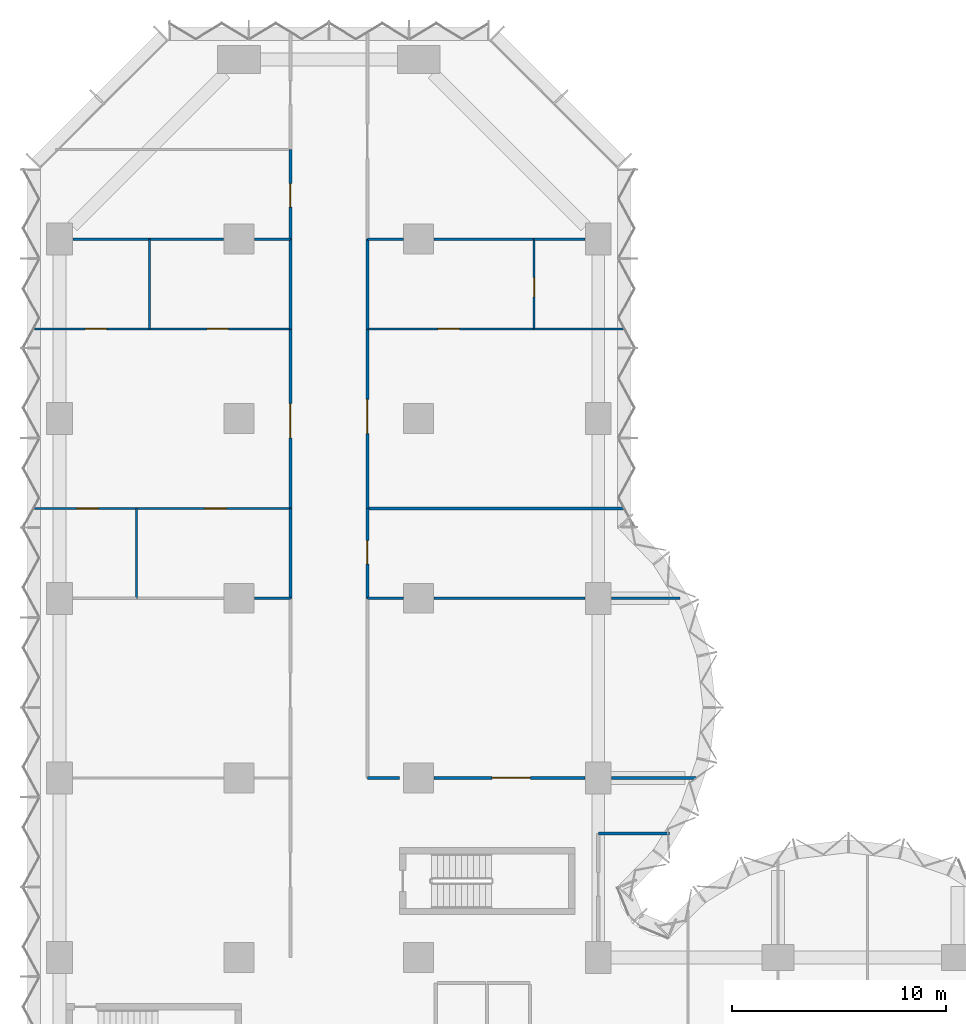
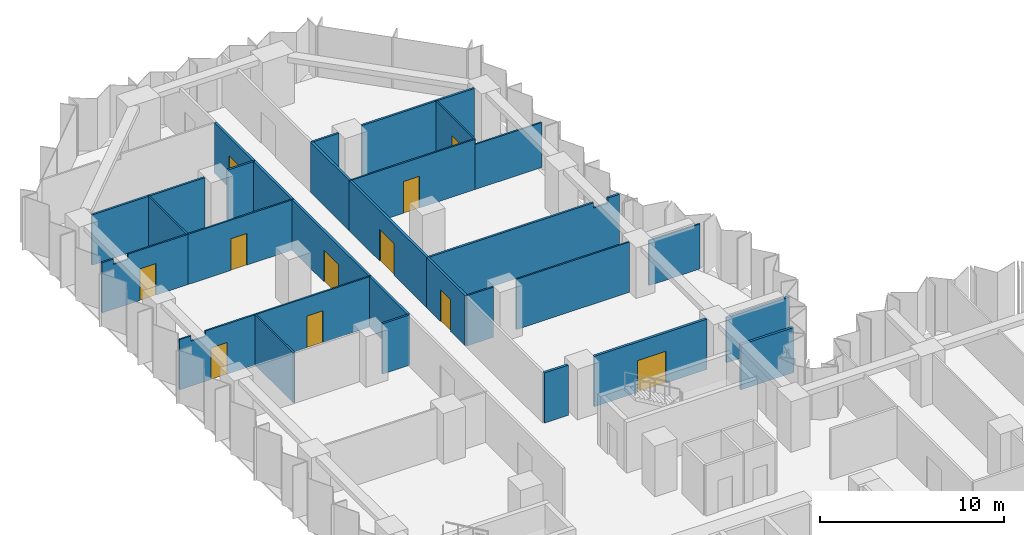
# One storey, part 11 of 15: 31 walls, 11 doors, 11 openings.
"""IFC4 building model written with IfcOpenShell, lengths in metres."""

from ifc_helpers import new_model, si_unit, direction, frame, frame_2d, origin, place, context, subcontext, project, spatial, polyline, rectangle, outline, extrude, material, layer, layer_set, type_object, element, fill, save


model = new_model("IFC4")

# Units and contexts
model_context = context("Model", 3, precision=1e-05, world=origin(), true_north=direction((0.0, 1.0)))
body_context = subcontext(model_context, "Body", "Model", "MODEL_VIEW")
ifc_project = project(units=[si_unit("LENGTHUNIT", "METRE"), si_unit("AREAUNIT", "SQUARE_METRE"), si_unit("VOLUMEUNIT", "CUBIC_METRE"), si_unit("PLANEANGLEUNIT", "RADIAN"), si_unit("MASSUNIT", "GRAM", prefix="KILO")], contexts=[model_context])

# Site, building, storey
site_placement = place(None, origin())
site = spatial("IfcSite", under=ifc_project, at=site_placement, CompositionType="ELEMENT")
building_placement = place(site_placement, origin())
building = spatial("IfcBuilding", under=site, at=building_placement, Name="Brevane Broadcast Tower", CompositionType="ELEMENT")
storey_placement = place(building_placement, frame((0.0, 0.0, 58.10009765625)))
storey = spatial("IfcBuildingStorey", under=building, at=storey_placement, Name="L12", CompositionType="ELEMENT", Elevation=58.10009765625)

# Wall, opening, door
ifc_material_1 = material(Name="Gypsum board partition")
ifc_layer_1 = layer(ifc_material_1, 0.10009765625)
ifc_layer_set_1 = layer_set([ifc_layer_1], Name="PARTITION 100 STUD")
wall_type_1 = type_object("IfcWallType", Name="PARTITION 100 STUD", PredefinedType="PARTITIONING", material=ifc_layer_set_1)
wall_1_placement = place(storey_placement, frame((-1.174072265625, 54.60009765625, 0.0), z_axis=(0.0, 0.0, 1.0), x_axis=(1.0, 0.0, 0.0)))
wall_1 = element("IfcWall", 1, at=wall_1_placement, inside=storey, type_object=wall_type_1, Name="Partition G03-056", PredefinedType="PARTITIONING", context=body_context, shape_type="SweptSolid", body=[
    extrude(outline(polyline([(0.0, 0.0), (5.3740234375, 0.0), (5.3740234375, 3.329833984375), (1.6240234375, 3.329833984375), (1.6220703125, 2.97998046875), (0.72607421875, 2.97998046875), (0.72412109375, 3.329833984375), (0.073974609375, 3.329833984375), (0.0, 3.329833984375), (0.0, 0.0)])), frame((0.0, 0.050048828125, 0.0), z_axis=(0.0, -1.0, 0.0), x_axis=(1.0, 0.0, 0.0)), (0.0, 0.0, 1.0), 0.10009765625),
])
opening_1_placement = place(wall_1_placement, frame((2.3740234375, 0.0, 0.0)))
opening_1 = element("IfcOpeningElement", 2, at=opening_1_placement, cuts=wall_1, Name="Opening D09-017", PredefinedType="OPENING", context=body_context, shape_type="SweptSolid", body=[
    extrude(rectangle(XDim=1.0, YDim=2.10009765625, at=frame_2d((0.5, 1.050048828125))), frame((0.0, 0.06005859375, 0.0), z_axis=(0.0, -1.0, 0.0), x_axis=(1.0, 0.0, 0.0)), (0.0, 0.0, 1.0), 0.1201171875),
])
ifc_material_2 = material(Name="Timber door leaf", Category="wood")
door_type_1 = type_object("IfcDoorType", Name="DOOR SINGLE 1000 INTERNAL", OperationType="SINGLE_SWING_LEFT", PredefinedType="DOOR", material=ifc_material_2)
door_1_placement = place(opening_1_placement, origin())
door_1 = element("IfcDoor", 3, at=door_1_placement, inside=storey, type_object=door_type_1, Name="Door D09-017", OperationType="SINGLE_SWING_LEFT", OverallHeight=2.10009765625, OverallWidth=1.0, PredefinedType="DOOR", context=body_context, shape_type="SweptSolid", body=[
    extrude(rectangle(XDim=1.0, YDim=2.10009765625, at=frame_2d((0.5, 1.050048828125))), frame((0.0, 0.02490234375, 0.0), z_axis=(0.0, -1.0, 0.0), x_axis=(1.0, 0.0, 0.0)), (0.0, 0.0, 1.0), 0.050048828125),
])
fill(opening_1, door_1)

wall_2_placement = place(storey_placement, frame((4.199951171875, 54.60009765625, 0.0), z_axis=(0.0, 0.0, 1.0), x_axis=(1.0, 0.0, 0.0)))
wall_2 = element("IfcWall", 4, at=wall_2_placement, inside=storey, type_object=wall_type_1, Name="Partition G03-057", PredefinedType="PARTITIONING", context=body_context, shape_type="SweptSolid", body=[
    extrude(rectangle(XDim=6.60009765625, YDim=0.10009765625, at=frame_2d((3.300048828125, 0.0))), origin(), (0.0, 0.0, 1.0), 3.329833984375),
])
opening_2_placement = place(wall_2_placement, frame((2.699951171875, 0.0, 0.0)))
opening_2 = element("IfcOpeningElement", 5, at=opening_2_placement, cuts=wall_2, Name="Opening D09-018", PredefinedType="OPENING", context=body_context, shape_type="SweptSolid", body=[
    extrude(rectangle(XDim=1.0, YDim=2.10009765625, at=frame_2d((0.5, 1.050048828125))), frame((0.0, 0.06005859375, 0.0), z_axis=(0.0, -1.0, 0.0), x_axis=(1.0, 0.0, 0.0)), (0.0, 0.0, 1.0), 0.1201171875),
])
door_2_placement = place(opening_2_placement, origin())
door_2 = element("IfcDoor", 6, at=door_2_placement, inside=storey, type_object=door_type_1, Name="Door D09-018", OperationType="SINGLE_SWING_LEFT", OverallHeight=2.10009765625, OverallWidth=1.0, PredefinedType="DOOR", context=body_context, shape_type="SweptSolid", body=[
    extrude(rectangle(XDim=1.0, YDim=2.10009765625, at=frame_2d((0.5, 1.050048828125))), frame((0.0, 0.02490234375, 0.0), z_axis=(0.0, -1.0, 0.0), x_axis=(1.0, 0.0, 0.0)), (0.0, 0.0, 1.0), 0.050048828125),
])
fill(opening_2, door_2)

wall_3_placement = place(storey_placement, frame((3.60009765625, 46.199951171875, 0.0), z_axis=(0.0, 0.0, 1.0), x_axis=(-1.0, 0.0, 0.0)))
wall_3 = element("IfcWall", 7, at=wall_3_placement, inside=storey, type_object=wall_type_1, Name="Partition G03-058", PredefinedType="PARTITIONING", context=body_context, shape_type="SweptSolid", body=[
    extrude(outline(polyline([(0.0, 0.0), (4.774169921875, 0.0), (4.77392578125, 3.329833984375), (4.699951171875, 3.329833984375), (4.050048828125, 3.329833984375), (4.048095703125, 2.97998046875), (3.152099609375, 2.97998046875), (3.14990234375, 3.329833984375), (0.0, 3.329833984375), (0.0, 0.0)])), frame((0.0, 0.050048828125, 0.0), z_axis=(0.0, -1.0, 0.0), x_axis=(1.0, 0.0, 0.0)), (0.0, 0.0, 1.0), 0.10009765625),
])
opening_3_placement = place(wall_3_placement, frame((1.800048828125, 0.0, 0.0)))
opening_3 = element("IfcOpeningElement", 8, at=opening_3_placement, cuts=wall_3, Name="Opening D09-019", PredefinedType="OPENING", context=body_context, shape_type="SweptSolid", body=[
    extrude(rectangle(XDim=1.0, YDim=2.10009765625, at=frame_2d((0.5, 1.050048828125))), frame((0.0, 0.06005859375, 0.0), z_axis=(0.0, -1.0, 0.0), x_axis=(1.0, 0.0, 0.0)), (0.0, 0.0, 1.0), 0.1201171875),
])
door_3_placement = place(opening_3_placement, origin())
door_3 = element("IfcDoor", 9, at=door_3_placement, inside=storey, type_object=door_type_1, Name="Door D09-019", OperationType="SINGLE_SWING_LEFT", OverallHeight=2.10009765625, OverallWidth=1.0, PredefinedType="DOOR", context=body_context, shape_type="SweptSolid", body=[
    extrude(rectangle(XDim=1.0, YDim=2.10009765625, at=frame_2d((0.5, 1.050048828125))), frame((0.0, 0.02490234375, 0.0), z_axis=(0.0, -1.0, 0.0), x_axis=(1.0, 0.0, 0.0)), (0.0, 0.0, 1.0), 0.050048828125),
])
fill(opening_3, door_3)

wall_4_placement = place(storey_placement, frame((10.800048828125, 46.199951171875, 0.0), z_axis=(0.0, 0.0, 1.0), x_axis=(-1.0, 0.0, 0.0)))
wall_4 = element("IfcWall", 10, at=wall_4_placement, inside=storey, type_object=wall_type_1, Name="Partition G03-059", PredefinedType="PARTITIONING", context=body_context, shape_type="SweptSolid", body=[
    extrude(rectangle(XDim=7.199951171875, YDim=0.10009765625, at=frame_2d((3.60009765625, 0.0))), origin(), (0.0, 0.0, 1.0), 3.329833984375),
])
opening_4_placement = place(wall_4_placement, frame((3.0, 0.0, 0.0)))
opening_4 = element("IfcOpeningElement", 11, at=opening_4_placement, cuts=wall_4, Name="Opening D09-020", PredefinedType="OPENING", context=body_context, shape_type="SweptSolid", body=[
    extrude(rectangle(XDim=1.0, YDim=2.10009765625, at=frame_2d((0.5, 1.050048828125))), frame((0.0, 0.06005859375, 0.0), z_axis=(0.0, -1.0, 0.0), x_axis=(1.0, 0.0, 0.0)), (0.0, 0.0, 1.0), 0.1201171875),
])
door_4_placement = place(opening_4_placement, origin())
door_4 = element("IfcDoor", 12, at=door_4_placement, inside=storey, type_object=door_type_1, Name="Door D09-020", OperationType="SINGLE_SWING_LEFT", OverallHeight=2.10009765625, OverallWidth=1.0, PredefinedType="DOOR", context=body_context, shape_type="SweptSolid", body=[
    extrude(rectangle(XDim=1.0, YDim=2.10009765625, at=frame_2d((0.5, 1.050048828125))), frame((0.0, 0.02490234375, 0.0), z_axis=(0.0, -1.0, 0.0), x_axis=(1.0, 0.0, 0.0)), (0.0, 0.0, 1.0), 0.050048828125),
])
fill(opening_4, door_4)

# Walls
for number, where, z_axis, x_axis, name in (
    (13, (4.199951171875, 58.800048828125, 0.0), (0.0, 0.0, 1.0), (0.0, -1.0, 0.0), "Partition G03-060"),
    (14, (3.60009765625, 46.199951171875, 0.0), (0.0, 0.0, 1.0), (0.0, -1.0, 0.0), "Partition G03-064"),
):
    element("IfcWall", number, at=place(storey_placement, frame(where, z_axis=z_axis, x_axis=x_axis)), inside=storey, type_object=wall_type_1, Name=name, PredefinedType="PARTITIONING", context=body_context, shape_type="SweptSolid", body=[
        extrude(rectangle(XDim=4.199951171875, YDim=0.10009765625, at=frame_2d((2.10009765625, 0.0))), origin(), (0.0, 0.0, 1.0), 3.329833984375),
    ])
wall_5_placement = place(storey_placement, frame((14.39990234375, 42.0, 0.0), z_axis=(0.0, 0.0, 1.0), x_axis=(1.0, 0.0, 0.0)))
element("IfcWall", 15, at=wall_5_placement, inside=storey, type_object=wall_type_1, Name="Partition G03-066", PredefinedType="PARTITIONING", context=body_context, shape_type="SweptSolid", body=[
    extrude(rectangle(XDim=1.68017578125, YDim=0.10009765625, at=frame_2d((0.840087890625, 0.0))), origin(), (0.0, 0.0, 1.0), 3.329833984375),
])
wall_6_placement = place(storey_placement, frame((17.52001953125, 42.0, 0.0), z_axis=(0.0, 0.0, 1.0), x_axis=(1.0, 0.0, 0.0)))
element("IfcWall", 16, at=wall_6_placement, inside=storey, type_object=wall_type_1, Name="Partition G03-067", PredefinedType="PARTITIONING", context=body_context, shape_type="SweptSolid", body=[
    extrude(rectangle(XDim=7.06005859375, YDim=0.10009765625, at=frame_2d((3.530029296875, 0.0))), origin(), (0.0, 0.0, 1.0), 3.329833984375),
])
wall_7_placement = place(storey_placement, frame((25.820068359375, 42.0, 0.0), z_axis=(0.0, 0.0, 1.0), x_axis=(1.0, 0.0, 0.0)))
element("IfcWall", 17, at=wall_7_placement, inside=storey, type_object=wall_type_1, Name="Partition G03-068", PredefinedType="PARTITIONING", context=body_context, shape_type="SweptSolid", body=[
    extrude(rectangle(XDim=3.19140625, YDim=0.10009765625, at=frame_2d((1.595703125, 0.0))), origin(), (0.0, 0.0, 1.0), 2.97998046875),
])

# Wall, opening, door
wall_8_placement = place(storey_placement, frame((14.39990234375, 54.60009765625, 0.0), z_axis=(0.0, 0.0, 1.0), x_axis=(1.0, 0.0, 0.0)))
wall_8 = element("IfcWall", 18, at=wall_8_placement, inside=storey, type_object=wall_type_1, Name="Partition G03-070", PredefinedType="PARTITIONING", context=body_context, shape_type="SweptSolid", body=[
    extrude(rectangle(XDim=7.800048828125, YDim=0.10009765625, at=frame_2d((3.89990234375, 0.0))), origin(), (0.0, 0.0, 1.0), 3.329833984375),
])
opening_5_placement = place(wall_8_placement, frame((3.300048828125, 0.0, 0.0)))
opening_5 = element("IfcOpeningElement", 19, at=opening_5_placement, cuts=wall_8, Name="Opening D09-026", PredefinedType="OPENING", context=body_context, shape_type="SweptSolid", body=[
    extrude(rectangle(XDim=1.0, YDim=2.10009765625, at=frame_2d((0.5, 1.050048828125))), frame((0.0, 0.06005859375, 0.0), z_axis=(0.0, -1.0, 0.0), x_axis=(1.0, 0.0, 0.0)), (0.0, 0.0, 1.0), 0.1201171875),
])
door_5_placement = place(opening_5_placement, origin())
door_5 = element("IfcDoor", 20, at=door_5_placement, inside=storey, type_object=door_type_1, Name="Door D09-026", OperationType="SINGLE_SWING_LEFT", OverallHeight=2.10009765625, OverallWidth=1.0, PredefinedType="DOOR", context=body_context, shape_type="SweptSolid", body=[
    extrude(rectangle(XDim=1.0, YDim=2.10009765625, at=frame_2d((0.5, 1.050048828125))), frame((0.0, 0.02490234375, 0.0), z_axis=(0.0, -1.0, 0.0), x_axis=(1.0, 0.0, 0.0)), (0.0, 0.0, 1.0), 0.050048828125),
])
fill(opening_5, door_5)

# Wall
wall_9_placement = place(storey_placement, frame((22.199951171875, 54.60009765625, 0.0), z_axis=(0.0, 0.0, 1.0), x_axis=(1.0, 0.0, 0.0)))
element("IfcWall", 21, at=wall_9_placement, inside=storey, type_object=wall_type_1, Name="Partition G03-071", PredefinedType="PARTITIONING", context=body_context, shape_type="SweptSolid", body=[
    extrude(rectangle(XDim=4.174072265625, YDim=0.10009765625, at=frame_2d((2.0869140625, 0.0))), origin(), (0.0, 0.0, 1.0), 2.97998046875),
])

# Wall, opening, door
wall_10_placement = place(storey_placement, frame((22.199951171875, 58.800048828125, 0.0), z_axis=(0.0, 0.0, 1.0), x_axis=(0.0, -1.0, 0.0)))
wall_10 = element("IfcWall", 22, at=wall_10_placement, inside=storey, type_object=wall_type_1, Name="Partition G03-072", PredefinedType="PARTITIONING", context=body_context, shape_type="SweptSolid", body=[
    extrude(rectangle(XDim=4.199951171875, YDim=0.10009765625, at=frame_2d((2.10009765625, 0.0))), origin(), (0.0, 0.0, 1.0), 3.329833984375),
])
opening_6_placement = place(wall_10_placement, frame((1.800048828125, 0.0, 0.0)))
opening_6 = element("IfcOpeningElement", 23, at=opening_6_placement, cuts=wall_10, Name="Opening D09-027", PredefinedType="OPENING", context=body_context, shape_type="SweptSolid", body=[
    extrude(rectangle(XDim=0.89990234375, YDim=2.10009765625, at=frame_2d((0.449951171875, 1.050048828125))), frame((0.0, 0.06005859375, 0.0), z_axis=(0.0, -1.0, 0.0), x_axis=(1.0, 0.0, 0.0)), (0.0, 0.0, 1.0), 0.1201171875),
])
door_type_2 = type_object("IfcDoorType", Name="DOOR SINGLE 900 INTERNAL", OperationType="SINGLE_SWING_LEFT", PredefinedType="DOOR", material=ifc_material_2)
door_6_placement = place(opening_6_placement, origin())
door_6 = element("IfcDoor", 24, at=door_6_placement, inside=storey, type_object=door_type_2, Name="Door D09-027", OperationType="SINGLE_SWING_LEFT", OverallHeight=2.10009765625, OverallWidth=0.89990234375, PredefinedType="DOOR", context=body_context, shape_type="SweptSolid", body=[
    extrude(rectangle(XDim=0.89990234375, YDim=2.10009765625, at=frame_2d((0.449951171875, 1.050048828125))), frame((0.0, 0.02490234375, 0.0), z_axis=(0.0, -1.0, 0.0), x_axis=(1.0, 0.0, 0.0)), (0.0, 0.0, 1.0), 0.050048828125),
])
fill(opening_6, door_6)

# Walls
ifc_layer_2 = layer(ifc_material_1, 0.125)
ifc_layer_set_2 = layer_set([ifc_layer_2], Name="PARTITION 125 ACOUSTIC")
wall_type_2 = type_object("IfcWallType", Name="PARTITION 125 ACOUSTIC", PredefinedType="PARTITIONING", material=ifc_layer_set_2)
wall_11_placement = place(storey_placement, frame((9.1201171875, 42.0, 0.0), z_axis=(0.0, 0.0, 1.0), x_axis=(1.0, 0.0, 0.0)))
element("IfcWall", 25, at=wall_11_placement, inside=storey, type_object=wall_type_2, Name="Partition G03-055", PredefinedType="PARTITIONING", context=body_context, shape_type="SweptSolid", body=[
    extrude(rectangle(XDim=1.679931640625, YDim=0.125, at=frame_2d((0.83984375, 0.0))), origin(), (0.0, 0.0, 1.0), 3.329833984375),
])
wall_12_placement = place(storey_placement, frame((0.6201171875, 58.800048828125, 0.0), z_axis=(0.0, 0.0, 1.0), x_axis=(1.0, 0.0, 0.0)))
element("IfcWall", 26, at=wall_12_placement, inside=storey, type_object=wall_type_2, Name="Partition G03-061", PredefinedType="PARTITIONING", context=body_context, shape_type="SweptSolid", body=[
    extrude(rectangle(XDim=3.579833984375, YDim=0.125, at=frame_2d((1.7900390625, 0.0))), origin(), (0.0, 0.0, 1.0), 3.329833984375),
])
wall_13_placement = place(storey_placement, frame((4.199951171875, 58.800048828125, 0.0), z_axis=(0.0, 0.0, 1.0), x_axis=(1.0, 0.0, 0.0)))
element("IfcWall", 27, at=wall_13_placement, inside=storey, type_object=wall_type_2, Name="Partition G03-062", PredefinedType="PARTITIONING", context=body_context, shape_type="SweptSolid", body=[
    extrude(rectangle(XDim=3.47998046875, YDim=0.125, at=frame_2d((1.739990234375, 0.0))), origin(), (0.0, 0.0, 1.0), 3.329833984375),
])
wall_14_placement = place(storey_placement, frame((9.1201171875, 58.800048828125, 0.0), z_axis=(0.0, 0.0, 1.0), x_axis=(1.0, 0.0, 0.0)))
element("IfcWall", 28, at=wall_14_placement, inside=storey, type_object=wall_type_2, Name="Partition G03-063", PredefinedType="PARTITIONING", context=body_context, shape_type="SweptSolid", body=[
    extrude(rectangle(XDim=1.679931640625, YDim=0.125, at=frame_2d((0.83984375, 0.0))), origin(), (0.0, 0.0, 1.0), 3.329833984375),
])
wall_15_placement = place(storey_placement, frame((14.39990234375, 46.199951171875, 0.0), z_axis=(0.0, 0.0, 1.0), x_axis=(1.0, 0.0, 0.0)))
element("IfcWall", 29, at=wall_15_placement, inside=storey, type_object=wall_type_2, Name="Partition G03-069", PredefinedType="PARTITIONING", context=body_context, shape_type="SweptSolid", body=[
    extrude(outline(polyline([(0.0, 0.0), (11.97412109375, 0.0), (11.97412109375, 3.329833984375), (11.89990234375, 3.329833984375), (11.25, 3.329833984375), (11.248046875, 2.97998046875), (10.35205078125, 2.97998046875), (10.35009765625, 3.329833984375), (0.0, 3.329833984375), (0.0, 0.0)])), frame((0.0, 0.0625, 0.0), z_axis=(0.0, -1.0, 0.0), x_axis=(1.0, 0.0, 0.0)), (0.0, 0.0, 1.0), 0.125),
])
wall_16_placement = place(storey_placement, frame((14.39990234375, 58.800048828125, 0.0), z_axis=(0.0, 0.0, 1.0), x_axis=(1.0, 0.0, 0.0)))
element("IfcWall", 30, at=wall_16_placement, inside=storey, type_object=wall_type_2, Name="Partition G03-073", PredefinedType="PARTITIONING", context=body_context, shape_type="SweptSolid", body=[
    extrude(rectangle(XDim=1.68017578125, YDim=0.125, at=frame_2d((0.840087890625, 0.0))), origin(), (0.0, 0.0, 1.0), 3.329833984375),
])
wall_17_placement = place(storey_placement, frame((17.52001953125, 58.800048828125, 0.0), z_axis=(0.0, 0.0, 1.0), x_axis=(1.0, 0.0, 0.0)))
element("IfcWall", 31, at=wall_17_placement, inside=storey, type_object=wall_type_2, Name="Partition G03-074", PredefinedType="PARTITIONING", context=body_context, shape_type="SweptSolid", body=[
    extrude(rectangle(XDim=4.679931640625, YDim=0.125, at=frame_2d((2.33984375, 0.0))), origin(), (0.0, 0.0, 1.0), 3.329833984375),
])
wall_18_placement = place(storey_placement, frame((22.199951171875, 58.800048828125, 0.0), z_axis=(0.0, 0.0, 1.0), x_axis=(1.0, 0.0, 0.0)))
element("IfcWall", 32, at=wall_18_placement, inside=storey, type_object=wall_type_2, Name="Partition G03-075", PredefinedType="PARTITIONING", context=body_context, shape_type="SweptSolid", body=[
    extrude(rectangle(XDim=2.380126953125, YDim=0.125, at=frame_2d((1.18994140625, 0.0))), origin(), (0.0, 0.0, 1.0), 3.329833984375),
])
ifc_layer_3 = layer(ifc_material_1, 0.14990234375)
ifc_layer_set_3 = layer_set([ifc_layer_3], Name="PARTITION 150 EI 60")
wall_type_3 = type_object("IfcWallType", Name="PARTITION 150 EI 60", PredefinedType="PARTITIONING", material=ifc_layer_set_3)
wall_19_placement = place(storey_placement, frame((25.199951171875, 31.0, 0.0), z_axis=(0.0, 0.0, 1.0), x_axis=(1.0, 0.0, 0.0)))
element("IfcWall", 33, at=wall_19_placement, inside=storey, type_object=wall_type_3, Name="Partition G03-006", PredefinedType="PARTITIONING", context=body_context, shape_type="SweptSolid", body=[
    extrude(rectangle(XDim=3.32421875, YDim=0.14990234375, at=frame_2d((1.662109375, 0.0))), origin(), (0.0, 0.0, 1.0), 2.97998046875),
])
wall_20_placement = place(storey_placement, frame((14.39990234375, 33.60009765625, 0.0), z_axis=(0.0, 0.0, 1.0), x_axis=(1.0, 0.0, 0.0)))
element("IfcWall", 34, at=wall_20_placement, inside=storey, type_object=wall_type_3, Name="Partition G03-037", PredefinedType="PARTITIONING", context=body_context, shape_type="SweptSolid", body=[
    extrude(rectangle(XDim=1.5, YDim=0.14990234375, at=frame_2d((0.75, 0.0))), origin(), (0.0, 0.0, 1.0), 3.329833984375),
])

# Wall, opening, door
wall_21_placement = place(storey_placement, frame((17.52001953125, 33.60009765625, 0.0), z_axis=(0.0, 0.0, 1.0), x_axis=(1.0, 0.0, 0.0)))
wall_21 = element("IfcWall", 35, at=wall_21_placement, inside=storey, type_object=wall_type_3, Name="Partition G03-038", PredefinedType="PARTITIONING", context=body_context, shape_type="SweptSolid", body=[
    extrude(rectangle(XDim=7.06005859375, YDim=0.14990234375, at=frame_2d((3.530029296875, 0.0))), origin(), (0.0, 0.0, 1.0), 3.329833984375),
])
opening_7_placement = place(wall_21_placement, frame((2.699951171875, 0.0, 0.0)))
opening_7 = element("IfcOpeningElement", 36, at=opening_7_placement, cuts=wall_21, Name="Opening D09-023", PredefinedType="OPENING", context=body_context, shape_type="SweptSolid", body=[
    extrude(rectangle(XDim=1.800048828125, YDim=2.10009765625, at=frame_2d((0.89990234375, 1.050048828125))), frame((0.0, 0.0849609375, 0.0), z_axis=(0.0, -1.0, 0.0), x_axis=(1.0, 0.0, 0.0)), (0.0, 0.0, 1.0), 0.169921875),
])
ifc_material_3 = material(Name="Fire-rated timber door leaf", Category="wood")
door_type_3 = type_object("IfcDoorType", Name="DOOR DOUBLE 1800 FD30S", OperationType="DOUBLE_DOOR_SINGLE_SWING", PredefinedType="DOOR", material=ifc_material_3)
door_7_placement = place(opening_7_placement, origin())
door_7 = element("IfcDoor", 37, at=door_7_placement, inside=storey, type_object=door_type_3, Name="Door D09-023", OperationType="DOUBLE_DOOR_SINGLE_SWING", OverallHeight=2.10009765625, OverallWidth=1.800048828125, PredefinedType="DOOR", context=body_context, shape_type="SweptSolid", body=[
    extrude(rectangle(XDim=1.800048828125, YDim=2.10009765625, at=frame_2d((0.89990234375, 1.050048828125))), frame((0.0, 0.02490234375, 0.0), z_axis=(0.0, -1.0, 0.0), x_axis=(1.0, 0.0, 0.0)), (0.0, 0.0, 1.0), 0.050048828125),
])
fill(opening_7, door_7)

# Wall
wall_22_placement = place(storey_placement, frame((25.820068359375, 33.60009765625, 0.0), z_axis=(0.0, 0.0, 1.0), x_axis=(1.0, 0.0, 0.0)))
element("IfcWall", 38, at=wall_22_placement, inside=storey, type_object=wall_type_3, Name="Partition G03-039", PredefinedType="PARTITIONING", context=body_context, shape_type="SweptSolid", body=[
    extrude(rectangle(XDim=3.94189453125, YDim=0.14990234375, at=frame_2d((1.970947265625, 0.0))), origin(), (0.0, 0.0, 1.0), 2.97998046875),
])

# Wall, opening, door
wall_23_placement = place(storey_placement, frame((10.800048828125, 46.199951171875, 0.0), z_axis=(0.0, 0.0, 1.0), x_axis=(0.0, 1.0, 0.0)))
wall_23 = element("IfcWall", 39, at=wall_23_placement, inside=storey, type_object=wall_type_3, Name="Partition G03-041", PredefinedType="PARTITIONING", context=body_context, shape_type="SweptSolid", body=[
    extrude(rectangle(XDim=8.400146484375, YDim=0.14990234375, at=frame_2d((4.2001953125, 0.0))), origin(), (0.0, 0.0, 1.0), 3.329833984375),
])
opening_8_placement = place(wall_23_placement, frame((3.300048828125, 0.0, 0.0)))
opening_8 = element("IfcOpeningElement", 40, at=opening_8_placement, cuts=wall_23, Name="Opening D09-016", PredefinedType="OPENING", context=body_context, shape_type="SweptSolid", body=[
    extrude(rectangle(XDim=1.60009765625, YDim=2.10009765625, at=frame_2d((0.800048828125, 1.050048828125))), frame((0.0, 0.0849609375, 0.0), z_axis=(0.0, -1.0, 0.0), x_axis=(1.0, 0.0, 0.0)), (0.0, 0.0, 1.0), 0.169921875),
])
door_type_4 = type_object("IfcDoorType", Name="DOOR DOUBLE 1600 FD30S", OperationType="DOUBLE_DOOR_SINGLE_SWING", PredefinedType="DOOR", material=ifc_material_3)
door_8_placement = place(opening_8_placement, origin())
door_8 = element("IfcDoor", 41, at=door_8_placement, inside=storey, type_object=door_type_4, Name="Door D09-016", OperationType="DOUBLE_DOOR_SINGLE_SWING", OverallHeight=2.10009765625, OverallWidth=1.60009765625, PredefinedType="DOOR", context=body_context, shape_type="SweptSolid", body=[
    extrude(rectangle(XDim=1.60009765625, YDim=2.10009765625, at=frame_2d((0.800048828125, 1.050048828125))), frame((0.0, 0.02490234375, 0.0), z_axis=(0.0, -1.0, 0.0), x_axis=(1.0, 0.0, 0.0)), (0.0, 0.0, 1.0), 0.050048828125),
])
fill(opening_8, door_8)

# Walls
for number, where, z_axis, x_axis, name in (
    (42, (10.800048828125, 54.60009765625, 0.0), (0.0, 0.0, 1.0), (0.0, 1.0, 0.0), "Partition G03-042"),
    (43, (10.800048828125, 42.0, 0.0), (0.0, 0.0, 1.0), (0.0, 1.0, 0.0), "Partition G03-043"),
):
    element("IfcWall", number, at=place(storey_placement, frame(where, z_axis=z_axis, x_axis=x_axis)), inside=storey, type_object=wall_type_3, Name=name, PredefinedType="PARTITIONING", context=body_context, shape_type="SweptSolid", body=[
        extrude(rectangle(XDim=4.199951171875, YDim=0.14990234375, at=frame_2d((2.10009765625, 0.0))), origin(), (0.0, 0.0, 1.0), 3.329833984375),
    ])

# Wall, opening, door
wall_24_placement = place(storey_placement, frame((10.800048828125, 58.800048828125, 0.0), z_axis=(0.0, 0.0, 1.0), x_axis=(0.0, 1.0, 0.0)))
wall_24 = element("IfcWall", 44, at=wall_24_placement, inside=storey, type_object=wall_type_3, Name="Partition G03-044", PredefinedType="PARTITIONING", context=body_context, shape_type="SweptSolid", body=[
    extrude(rectangle(XDim=4.199951171875, YDim=0.14990234375, at=frame_2d((2.10009765625, 0.0))), origin(), (0.0, 0.0, 1.0), 3.329833984375),
])
opening_9_placement = place(wall_24_placement, frame((1.5, 0.0, 0.0)))
opening_9 = element("IfcOpeningElement", 45, at=opening_9_placement, cuts=wall_24, Name="Opening D09-021", PredefinedType="OPENING", context=body_context, shape_type="SweptSolid", body=[
    extrude(rectangle(XDim=1.10009765625, YDim=2.10009765625, at=frame_2d((0.550048828125, 1.050048828125))), frame((0.0, 0.0849609375, 0.0), z_axis=(0.0, -1.0, 0.0), x_axis=(1.0, 0.0, 0.0)), (0.0, 0.0, 1.0), 0.169921875),
])
door_type_5 = type_object("IfcDoorType", Name="DOOR SINGLE 1100 FD30S", OperationType="SINGLE_SWING_LEFT", PredefinedType="DOOR", material=ifc_material_3)
door_9_placement = place(opening_9_placement, origin())
door_9 = element("IfcDoor", 46, at=door_9_placement, inside=storey, type_object=door_type_5, Name="Door D09-021", OperationType="SINGLE_SWING_LEFT", OverallHeight=2.10009765625, OverallWidth=1.10009765625, PredefinedType="DOOR", context=body_context, shape_type="SweptSolid", body=[
    extrude(rectangle(XDim=1.10009765625, YDim=2.10009765625, at=frame_2d((0.550048828125, 1.050048828125))), frame((0.0, 0.02490234375, 0.0), z_axis=(0.0, -1.0, 0.0), x_axis=(1.0, 0.0, 0.0)), (0.0, 0.0, 1.0), 0.050048828125),
])
fill(opening_9, door_9)

wall_25_placement = place(storey_placement, frame((14.39990234375, 46.199951171875, 0.0), z_axis=(0.0, 0.0, 1.0), x_axis=(0.0, -1.0, 0.0)))
wall_25 = element("IfcWall", 47, at=wall_25_placement, inside=storey, type_object=wall_type_3, Name="Partition G03-047", PredefinedType="PARTITIONING", context=body_context, shape_type="SweptSolid", body=[
    extrude(rectangle(XDim=4.199951171875, YDim=0.14990234375, at=frame_2d((2.10009765625, 0.0))), origin(), (0.0, 0.0, 1.0), 3.329833984375),
])
opening_10_placement = place(wall_25_placement, frame((1.5, 0.0, 0.0)))
opening_10 = element("IfcOpeningElement", 48, at=opening_10_placement, cuts=wall_25, Name="Opening D09-024", PredefinedType="OPENING", context=body_context, shape_type="SweptSolid", body=[
    extrude(rectangle(XDim=1.10009765625, YDim=2.10009765625, at=frame_2d((0.550048828125, 1.050048828125))), frame((0.0, 0.0849609375, 0.0), z_axis=(0.0, -1.0, 0.0), x_axis=(1.0, 0.0, 0.0)), (0.0, 0.0, 1.0), 0.169921875),
])
door_10_placement = place(opening_10_placement, origin())
door_10 = element("IfcDoor", 49, at=door_10_placement, inside=storey, type_object=door_type_5, Name="Door D09-024", OperationType="SINGLE_SWING_LEFT", OverallHeight=2.10009765625, OverallWidth=1.10009765625, PredefinedType="DOOR", context=body_context, shape_type="SweptSolid", body=[
    extrude(rectangle(XDim=1.10009765625, YDim=2.10009765625, at=frame_2d((0.550048828125, 1.050048828125))), frame((0.0, 0.02490234375, 0.0), z_axis=(0.0, -1.0, 0.0), x_axis=(1.0, 0.0, 0.0)), (0.0, 0.0, 1.0), 0.050048828125),
])
fill(opening_10, door_10)

wall_26_placement = place(storey_placement, frame((14.39990234375, 54.60009765625, 0.0), z_axis=(0.0, 0.0, 1.0), x_axis=(0.0, -1.0, 0.0)))
wall_26 = element("IfcWall", 50, at=wall_26_placement, inside=storey, type_object=wall_type_3, Name="Partition G03-048", PredefinedType="PARTITIONING", context=body_context, shape_type="SweptSolid", body=[
    extrude(rectangle(XDim=8.400146484375, YDim=0.14990234375, at=frame_2d((4.2001953125, 0.0))), origin(), (0.0, 0.0, 1.0), 3.329833984375),
])
opening_11_placement = place(wall_26_placement, frame((3.300048828125, 0.0, 0.0)))
opening_11 = element("IfcOpeningElement", 51, at=opening_11_placement, cuts=wall_26, Name="Opening D09-025", PredefinedType="OPENING", context=body_context, shape_type="SweptSolid", body=[
    extrude(rectangle(XDim=1.60009765625, YDim=2.10009765625, at=frame_2d((0.800048828125, 1.050048828125))), frame((0.0, 0.0849609375, 0.0), z_axis=(0.0, -1.0, 0.0), x_axis=(1.0, 0.0, 0.0)), (0.0, 0.0, 1.0), 0.169921875),
])
door_11_placement = place(opening_11_placement, origin())
door_11 = element("IfcDoor", 52, at=door_11_placement, inside=storey, type_object=door_type_4, Name="Door D09-025", OperationType="DOUBLE_DOOR_SINGLE_SWING", OverallHeight=2.10009765625, OverallWidth=1.60009765625, PredefinedType="DOOR", context=body_context, shape_type="SweptSolid", body=[
    extrude(rectangle(XDim=1.60009765625, YDim=2.10009765625, at=frame_2d((0.800048828125, 1.050048828125))), frame((0.0, 0.02490234375, 0.0), z_axis=(0.0, -1.0, 0.0), x_axis=(1.0, 0.0, 0.0)), (0.0, 0.0, 1.0), 0.050048828125),
])
fill(opening_11, door_11)

# Wall
wall_27_placement = place(storey_placement, frame((14.39990234375, 58.800048828125, 0.0), z_axis=(0.0, 0.0, 1.0), x_axis=(0.0, -1.0, 0.0)))
element("IfcWall", 53, at=wall_27_placement, inside=storey, type_object=wall_type_3, Name="Partition G03-049", PredefinedType="PARTITIONING", context=body_context, shape_type="SweptSolid", body=[
    extrude(rectangle(XDim=4.199951171875, YDim=0.14990234375, at=frame_2d((2.10009765625, 0.0))), origin(), (0.0, 0.0, 1.0), 3.329833984375),
])

save(model, "model.ifc")
